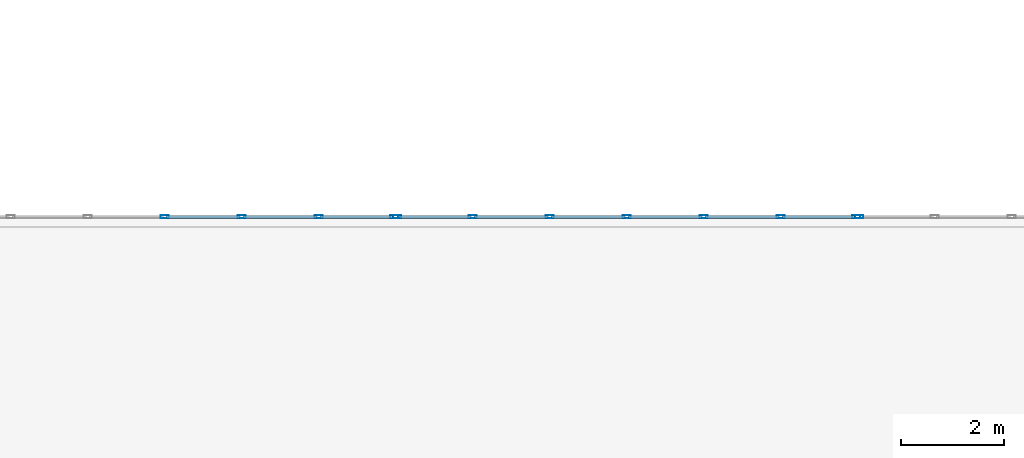
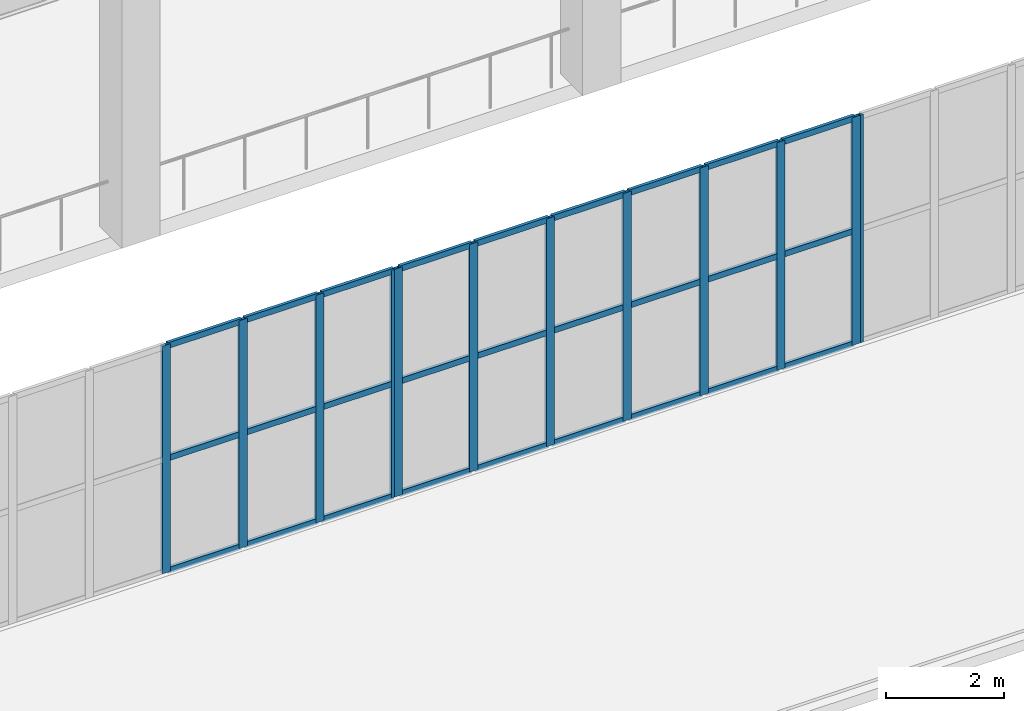
# One storey, part 10 of 223: 39 members, 3 elements without a shape of their own.
"""IFC4 building model written with IfcOpenShell, lengths in metres."""

from ifc_helpers import new_model, si_unit, direction, frame, origin, origin_2d, place, context, subcontext, project, spatial, hollow_rectangle, extrude, material, layer, layer_set, material_profile, profile_set, type_object, element, aggregate, save


model = new_model("IFC4")

# Units and contexts
model_context = context("Model", 3, precision=1e-05, world=origin(), true_north=direction((0.0, 1.0)))
body_context = subcontext(model_context, "Body", "Model", "MODEL_VIEW")
ifc_project = project(units=[si_unit("LENGTHUNIT", "METRE"), si_unit("AREAUNIT", "SQUARE_METRE"), si_unit("VOLUMEUNIT", "CUBIC_METRE"), si_unit("PLANEANGLEUNIT", "RADIAN"), si_unit("MASSUNIT", "GRAM", prefix="KILO")], contexts=[model_context])

# Site, building, storey
site_placement = place(None, origin())
site = spatial("IfcSite", under=ifc_project, at=site_placement, CompositionType="ELEMENT")
building_placement = place(site_placement, origin())
building = spatial("IfcBuilding", under=site, at=building_placement, Name="Dornveld Trade and Exhibition Forum", CompositionType="ELEMENT")
storey_placement = place(building_placement, frame((0.0, 0.0, 6.0)))
storey = spatial("IfcBuildingStorey", under=building, at=storey_placement, Name="L01", CompositionType="ELEMENT", Elevation=6.0)

# Curtain wall, members
ifc_material_1 = material(Name="Dark-bronze anodised aluminium and low-E glass", Category="aluminium")
ifc_layer_1 = layer(ifc_material_1, 0.166015625)
ifc_layer_set_1 = layer_set([ifc_layer_1], Name="Dark-bronze anodised aluminium and low-E glass")
curtain_wall_type_1 = type_object("IfcCurtainWallType", Name="CW-SYS-08", PredefinedType="USERDEFINED", material=ifc_layer_set_1)
curtain_wall_1_placement = place(storey_placement, origin())
curtain_wall_1 = element("IfcCurtainWall", 1, at=curtain_wall_1_placement, inside=storey, type_object=curtain_wall_type_1, Name="L01 unitised curtain wall 44", ObjectType="UNITISED_CURTAIN_WALL", PredefinedType="USERDEFINED")
ifc_material_2 = material(Name="Dark-bronze anodised aluminium", Category="aluminium")
ifc_material_profile_1 = material_profile(ifc_material_2, hollow_rectangle(XDim=0.06005859375, YDim=0.159912109375, WallThickness=0.00390625, at=origin_2d()), Name="RHS 160x60x4")
ifc_profile_set_1 = profile_set([ifc_material_profile_1], Name="Dark-bronze anodised aluminium")
member_type_1 = type_object("IfcMemberType", Name="CW-MUL-160", PredefinedType="MULLION", material=ifc_profile_set_1)
member_1_placement = place(storey_placement, frame((112.5, 18.0, -0.00390625), z_axis=(0.0, 0.0, 1.0), x_axis=(0.0, 1.0, 0.0)))
member_1 = element("IfcMember", 2, at=member_1_placement, type_object=member_type_1, Name="CW-08 mullion 4", PredefinedType="MULLION", context=body_context, shape_type="SweptSolid", body=[
    extrude(hollow_rectangle(XDim=0.06005859375, YDim=0.159912109375, WallThickness=0.00390625, at=origin_2d()), origin(), (0.0, 0.0, 1.0), 4.703857421875),
])
member_2_placement = place(storey_placement, frame((114.0, 18.0, -0.00390625), z_axis=(0.0, 0.0, 1.0), x_axis=(0.0, 1.0, 0.0)))
member_2 = element("IfcMember", 3, at=member_2_placement, type_object=member_type_1, Name="CW-08 mullion 5", PredefinedType="MULLION", context=body_context, shape_type="SweptSolid", body=[
    extrude(hollow_rectangle(XDim=0.06005859375, YDim=0.159912109375, WallThickness=0.00390625, at=origin_2d()), origin(), (0.0, 0.0, 1.0), 4.703857421875),
])
member_3_placement = place(storey_placement, frame((115.5, 18.0, -0.00390625), z_axis=(0.0, 0.0, 1.0), x_axis=(0.0, 1.0, 0.0)))
member_3 = element("IfcMember", 4, at=member_3_placement, type_object=member_type_1, Name="CW-08 mullion 6", PredefinedType="MULLION", context=body_context, shape_type="SweptSolid", body=[
    extrude(hollow_rectangle(XDim=0.06005859375, YDim=0.159912109375, WallThickness=0.00390625, at=origin_2d()), origin(), (0.0, 0.0, 1.0), 4.703857421875),
])
member_4_placement = place(storey_placement, frame((116.969970703125, 18.0, -0.00390625), z_axis=(0.0, 0.0, 1.0), x_axis=(0.0, 1.0, 0.0)))
member_4 = element("IfcMember", 5, at=member_4_placement, type_object=member_type_1, Name="CW-08 mullion 7", PredefinedType="MULLION", context=body_context, shape_type="SweptSolid", body=[
    extrude(hollow_rectangle(XDim=0.06005859375, YDim=0.159912109375, WallThickness=0.00390625, at=origin_2d()), origin(), (0.0, 0.0, 1.0), 4.703857421875),
])

ifc_material_3 = material(Name="Dark-bronze anodised aluminium and low-E glass", Category="aluminium")
ifc_layer_2 = layer(ifc_material_3, 0.1689453125)
ifc_layer_set_2 = layer_set([ifc_layer_2], Name="Dark-bronze anodised aluminium and low-E glass")
curtain_wall_type_2 = type_object("IfcCurtainWallType", Name="CW-SYS-09", PredefinedType="USERDEFINED", material=ifc_layer_set_2)
curtain_wall_2_placement = place(storey_placement, origin())
curtain_wall_2 = element("IfcCurtainWall", 6, at=curtain_wall_2_placement, inside=storey, type_object=curtain_wall_type_2, Name="L01 unitised curtain wall 45", ObjectType="UNITISED_CURTAIN_WALL", PredefinedType="USERDEFINED")
member_5_placement = place(storey_placement, frame((117.030029296875, 18.0, -0.00390625), z_axis=(0.0, 0.0, 1.0), x_axis=(0.0, 1.0, 0.0)))
member_5 = element("IfcMember", 7, at=member_5_placement, type_object=member_type_1, Name="CW-09 mullion 1", PredefinedType="MULLION", context=body_context, shape_type="SweptSolid", body=[
    extrude(hollow_rectangle(XDim=0.06005859375, YDim=0.159912109375, WallThickness=0.00390625, at=origin_2d()), origin(), (0.0, 0.0, 1.0), 4.703857421875),
])
member_6_placement = place(storey_placement, frame((118.5, 18.0, -0.00390625), z_axis=(0.0, 0.0, 1.0), x_axis=(0.0, 1.0, 0.0)))
member_6 = element("IfcMember", 8, at=member_6_placement, type_object=member_type_1, Name="CW-09 mullion 2", PredefinedType="MULLION", context=body_context, shape_type="SweptSolid", body=[
    extrude(hollow_rectangle(XDim=0.06005859375, YDim=0.159912109375, WallThickness=0.00390625, at=origin_2d()), origin(), (0.0, 0.0, 1.0), 4.703857421875),
])
member_7_placement = place(storey_placement, frame((120.0, 18.0, -0.00390625), z_axis=(0.0, 0.0, 1.0), x_axis=(0.0, 1.0, 0.0)))
member_7 = element("IfcMember", 9, at=member_7_placement, type_object=member_type_1, Name="CW-09 mullion 3", PredefinedType="MULLION", context=body_context, shape_type="SweptSolid", body=[
    extrude(hollow_rectangle(XDim=0.06005859375, YDim=0.159912109375, WallThickness=0.00390625, at=origin_2d()), origin(), (0.0, 0.0, 1.0), 4.703857421875),
])
member_8_placement = place(storey_placement, frame((121.5, 18.0, -0.00390625), z_axis=(0.0, 0.0, 1.0), x_axis=(0.0, 1.0, 0.0)))
member_8 = element("IfcMember", 10, at=member_8_placement, type_object=member_type_1, Name="CW-09 mullion 4", PredefinedType="MULLION", context=body_context, shape_type="SweptSolid", body=[
    extrude(hollow_rectangle(XDim=0.06005859375, YDim=0.159912109375, WallThickness=0.00390625, at=origin_2d()), origin(), (0.0, 0.0, 1.0), 4.703857421875),
])
member_9_placement = place(storey_placement, frame((123.0, 18.0, -0.00390625), z_axis=(0.0, 0.0, 1.0), x_axis=(0.0, 1.0, 0.0)))
member_9 = element("IfcMember", 11, at=member_9_placement, type_object=member_type_1, Name="CW-09 mullion 5", PredefinedType="MULLION", context=body_context, shape_type="SweptSolid", body=[
    extrude(hollow_rectangle(XDim=0.06005859375, YDim=0.159912109375, WallThickness=0.00390625, at=origin_2d()), origin(), (0.0, 0.0, 1.0), 4.703857421875),
])
member_10_placement = place(storey_placement, frame((124.5, 18.0, -0.00390625), z_axis=(0.0, 0.0, 1.0), x_axis=(0.0, 1.0, 0.0)))
member_10 = element("IfcMember", 12, at=member_10_placement, type_object=member_type_1, Name="CW-09 mullion 6", PredefinedType="MULLION", context=body_context, shape_type="SweptSolid", body=[
    extrude(hollow_rectangle(XDim=0.06005859375, YDim=0.159912109375, WallThickness=0.00390625, at=origin_2d()), origin(), (0.0, 0.0, 1.0), 4.703857421875),
])
member_11_placement = place(storey_placement, frame((125.969970703125, 18.0, -0.00390625), z_axis=(0.0, 0.0, 1.0), x_axis=(0.0, 1.0, 0.0)))
member_11 = element("IfcMember", 13, at=member_11_placement, type_object=member_type_1, Name="CW-09 mullion 7", PredefinedType="MULLION", context=body_context, shape_type="SweptSolid", body=[
    extrude(hollow_rectangle(XDim=0.06005859375, YDim=0.159912109375, WallThickness=0.00390625, at=origin_2d()), origin(), (0.0, 0.0, 1.0), 4.703857421875),
])

# Curtain wall, member
ifc_material_4 = material(Name="Dark-bronze anodised aluminium and low-E glass", Category="aluminium")
ifc_layer_3 = layer(ifc_material_4, 0.172119140625)
ifc_layer_set_3 = layer_set([ifc_layer_3], Name="Dark-bronze anodised aluminium and low-E glass")
curtain_wall_type_3 = type_object("IfcCurtainWallType", Name="CW-SYS-10", PredefinedType="USERDEFINED", material=ifc_layer_set_3)
curtain_wall_3_placement = place(storey_placement, origin())
curtain_wall_3 = element("IfcCurtainWall", 14, at=curtain_wall_3_placement, inside=storey, type_object=curtain_wall_type_3, Name="L01 unitised curtain wall 46", ObjectType="UNITISED_CURTAIN_WALL", PredefinedType="USERDEFINED")
member_12_placement = place(storey_placement, frame((126.030029296875, 18.0, -0.00390625), z_axis=(0.0, 0.0, 1.0), x_axis=(0.0, 1.0, 0.0)))
member_12 = element("IfcMember", 15, at=member_12_placement, type_object=member_type_1, Name="CW-10 mullion 1", PredefinedType="MULLION", context=body_context, shape_type="SweptSolid", body=[
    extrude(hollow_rectangle(XDim=0.06005859375, YDim=0.159912109375, WallThickness=0.00390625, at=origin_2d()), origin(), (0.0, 0.0, 1.0), 4.703857421875),
])
aggregate(curtain_wall_3, [member_12])

# Member
ifc_material_5 = material(Name="Dark-bronze anodised aluminium", Category="aluminium")
ifc_material_profile_2 = material_profile(ifc_material_5, hollow_rectangle(XDim=0.06005859375, YDim=0.1201171875, WallThickness=0.00390625, at=origin_2d()), Name="RHS 120x60x4")
ifc_profile_set_2 = profile_set([ifc_material_profile_2], Name="Dark-bronze anodised aluminium")
member_type_2 = type_object("IfcMemberType", Name="CW-TRN-120", PredefinedType="USERDEFINED", material=ifc_profile_set_2)
member_13_placement = place(storey_placement, frame((112.530029296875, 18.0, 0.02587890625), z_axis=(1.0, 0.0, 0.0), x_axis=(0.0, 1.0, 0.0)))
member_13 = element("IfcMember", 16, at=member_13_placement, type_object=member_type_2, Name="CW-08 transom 4.1", ObjectType="TRANSOM", PredefinedType="USERDEFINED", context=body_context, shape_type="SweptSolid", body=[
    extrude(hollow_rectangle(XDim=0.06005859375, YDim=0.1201171875, WallThickness=0.00390625, at=origin_2d()), origin(), (0.0, 0.0, 1.0), 1.43994140625),
])

member_14_placement = place(storey_placement, frame((112.530029296875, 18.0, 2.347900390625), z_axis=(1.0, 0.0, 0.0), x_axis=(0.0, 1.0, 0.0)))
member_14 = element("IfcMember", 17, at=member_14_placement, type_object=member_type_2, Name="CW-08 transom 4.2", ObjectType="TRANSOM", PredefinedType="USERDEFINED", context=body_context, shape_type="SweptSolid", body=[
    extrude(hollow_rectangle(XDim=0.06005859375, YDim=0.1201171875, WallThickness=0.00390625, at=origin_2d()), origin(), (0.0, 0.0, 1.0), 1.43994140625),
])

member_15_placement = place(storey_placement, frame((112.530029296875, 18.0, 4.669921875), z_axis=(1.0, 0.0, 0.0), x_axis=(0.0, 1.0, 0.0)))
member_15 = element("IfcMember", 18, at=member_15_placement, type_object=member_type_2, Name="CW-08 transom 4.3", ObjectType="TRANSOM", PredefinedType="USERDEFINED", context=body_context, shape_type="SweptSolid", body=[
    extrude(hollow_rectangle(XDim=0.06005859375, YDim=0.1201171875, WallThickness=0.00390625, at=origin_2d()), origin(), (0.0, 0.0, 1.0), 1.43994140625),
])

member_16_placement = place(storey_placement, frame((114.030029296875, 18.0, 0.02587890625), z_axis=(1.0, 0.0, 0.0), x_axis=(0.0, 1.0, 0.0)))
member_16 = element("IfcMember", 19, at=member_16_placement, type_object=member_type_2, Name="CW-08 transom 5.1", ObjectType="TRANSOM", PredefinedType="USERDEFINED", context=body_context, shape_type="SweptSolid", body=[
    extrude(hollow_rectangle(XDim=0.06005859375, YDim=0.1201171875, WallThickness=0.00390625, at=origin_2d()), origin(), (0.0, 0.0, 1.0), 1.43994140625),
])

member_17_placement = place(storey_placement, frame((114.030029296875, 18.0, 2.347900390625), z_axis=(1.0, 0.0, 0.0), x_axis=(0.0, 1.0, 0.0)))
member_17 = element("IfcMember", 20, at=member_17_placement, type_object=member_type_2, Name="CW-08 transom 5.2", ObjectType="TRANSOM", PredefinedType="USERDEFINED", context=body_context, shape_type="SweptSolid", body=[
    extrude(hollow_rectangle(XDim=0.06005859375, YDim=0.1201171875, WallThickness=0.00390625, at=origin_2d()), origin(), (0.0, 0.0, 1.0), 1.43994140625),
])

member_18_placement = place(storey_placement, frame((114.030029296875, 18.0, 4.669921875), z_axis=(1.0, 0.0, 0.0), x_axis=(0.0, 1.0, 0.0)))
member_18 = element("IfcMember", 21, at=member_18_placement, type_object=member_type_2, Name="CW-08 transom 5.3", ObjectType="TRANSOM", PredefinedType="USERDEFINED", context=body_context, shape_type="SweptSolid", body=[
    extrude(hollow_rectangle(XDim=0.06005859375, YDim=0.1201171875, WallThickness=0.00390625, at=origin_2d()), origin(), (0.0, 0.0, 1.0), 1.43994140625),
])

member_19_placement = place(storey_placement, frame((115.530029296875, 18.0, 0.02587890625), z_axis=(1.0, 0.0, 0.0), x_axis=(0.0, 1.0, 0.0)))
member_19 = element("IfcMember", 22, at=member_19_placement, type_object=member_type_2, Name="CW-08 transom 6.1", ObjectType="TRANSOM", PredefinedType="USERDEFINED", context=body_context, shape_type="SweptSolid", body=[
    extrude(hollow_rectangle(XDim=0.06005859375, YDim=0.1201171875, WallThickness=0.00390625, at=origin_2d()), origin(), (0.0, 0.0, 1.0), 1.409912109375),
])

member_20_placement = place(storey_placement, frame((115.530029296875, 18.0, 2.347900390625), z_axis=(1.0, 0.0, 0.0), x_axis=(0.0, 1.0, 0.0)))
member_20 = element("IfcMember", 23, at=member_20_placement, type_object=member_type_2, Name="CW-08 transom 6.2", ObjectType="TRANSOM", PredefinedType="USERDEFINED", context=body_context, shape_type="SweptSolid", body=[
    extrude(hollow_rectangle(XDim=0.06005859375, YDim=0.1201171875, WallThickness=0.00390625, at=origin_2d()), origin(), (0.0, 0.0, 1.0), 1.409912109375),
])

member_21_placement = place(storey_placement, frame((115.530029296875, 18.0, 4.669921875), z_axis=(1.0, 0.0, 0.0), x_axis=(0.0, 1.0, 0.0)))
member_21 = element("IfcMember", 24, at=member_21_placement, type_object=member_type_2, Name="CW-08 transom 6.3", ObjectType="TRANSOM", PredefinedType="USERDEFINED", context=body_context, shape_type="SweptSolid", body=[
    extrude(hollow_rectangle(XDim=0.06005859375, YDim=0.1201171875, WallThickness=0.00390625, at=origin_2d()), origin(), (0.0, 0.0, 1.0), 1.409912109375),
])

aggregate(curtain_wall_1, [member_1, member_2, member_3, member_4, member_13, member_14, member_15, member_16, member_17, member_18, member_19, member_20, member_21])

member_22_placement = place(storey_placement, frame((117.06005859375, 18.0, 0.02587890625), z_axis=(1.0, 0.0, 0.0), x_axis=(0.0, 1.0, 0.0)))
member_22 = element("IfcMember", 25, at=member_22_placement, type_object=member_type_2, Name="CW-09 transom 1.1", ObjectType="TRANSOM", PredefinedType="USERDEFINED", context=body_context, shape_type="SweptSolid", body=[
    extrude(hollow_rectangle(XDim=0.06005859375, YDim=0.1201171875, WallThickness=0.00390625, at=origin_2d()), origin(), (0.0, 0.0, 1.0), 1.409912109375),
])

member_23_placement = place(storey_placement, frame((117.06005859375, 18.0, 2.347900390625), z_axis=(1.0, 0.0, 0.0), x_axis=(0.0, 1.0, 0.0)))
member_23 = element("IfcMember", 26, at=member_23_placement, type_object=member_type_2, Name="CW-09 transom 1.2", ObjectType="TRANSOM", PredefinedType="USERDEFINED", context=body_context, shape_type="SweptSolid", body=[
    extrude(hollow_rectangle(XDim=0.06005859375, YDim=0.1201171875, WallThickness=0.00390625, at=origin_2d()), origin(), (0.0, 0.0, 1.0), 1.409912109375),
])

member_24_placement = place(storey_placement, frame((117.06005859375, 18.0, 4.669921875), z_axis=(1.0, 0.0, 0.0), x_axis=(0.0, 1.0, 0.0)))
member_24 = element("IfcMember", 27, at=member_24_placement, type_object=member_type_2, Name="CW-09 transom 1.3", ObjectType="TRANSOM", PredefinedType="USERDEFINED", context=body_context, shape_type="SweptSolid", body=[
    extrude(hollow_rectangle(XDim=0.06005859375, YDim=0.1201171875, WallThickness=0.00390625, at=origin_2d()), origin(), (0.0, 0.0, 1.0), 1.409912109375),
])

member_25_placement = place(storey_placement, frame((118.530029296875, 18.0, 0.02587890625), z_axis=(1.0, 0.0, 0.0), x_axis=(0.0, 1.0, 0.0)))
member_25 = element("IfcMember", 28, at=member_25_placement, type_object=member_type_2, Name="CW-09 transom 2.1", ObjectType="TRANSOM", PredefinedType="USERDEFINED", context=body_context, shape_type="SweptSolid", body=[
    extrude(hollow_rectangle(XDim=0.06005859375, YDim=0.1201171875, WallThickness=0.00390625, at=origin_2d()), origin(), (0.0, 0.0, 1.0), 1.43994140625),
])

member_26_placement = place(storey_placement, frame((118.530029296875, 18.0, 2.347900390625), z_axis=(1.0, 0.0, 0.0), x_axis=(0.0, 1.0, 0.0)))
member_26 = element("IfcMember", 29, at=member_26_placement, type_object=member_type_2, Name="CW-09 transom 2.2", ObjectType="TRANSOM", PredefinedType="USERDEFINED", context=body_context, shape_type="SweptSolid", body=[
    extrude(hollow_rectangle(XDim=0.06005859375, YDim=0.1201171875, WallThickness=0.00390625, at=origin_2d()), origin(), (0.0, 0.0, 1.0), 1.43994140625),
])

member_27_placement = place(storey_placement, frame((118.530029296875, 18.0, 4.669921875), z_axis=(1.0, 0.0, 0.0), x_axis=(0.0, 1.0, 0.0)))
member_27 = element("IfcMember", 30, at=member_27_placement, type_object=member_type_2, Name="CW-09 transom 2.3", ObjectType="TRANSOM", PredefinedType="USERDEFINED", context=body_context, shape_type="SweptSolid", body=[
    extrude(hollow_rectangle(XDim=0.06005859375, YDim=0.1201171875, WallThickness=0.00390625, at=origin_2d()), origin(), (0.0, 0.0, 1.0), 1.43994140625),
])

member_28_placement = place(storey_placement, frame((120.030029296875, 18.0, 0.02587890625), z_axis=(1.0, 0.0, 0.0), x_axis=(0.0, 1.0, 0.0)))
member_28 = element("IfcMember", 31, at=member_28_placement, type_object=member_type_2, Name="CW-09 transom 3.1", ObjectType="TRANSOM", PredefinedType="USERDEFINED", context=body_context, shape_type="SweptSolid", body=[
    extrude(hollow_rectangle(XDim=0.06005859375, YDim=0.1201171875, WallThickness=0.00390625, at=origin_2d()), origin(), (0.0, 0.0, 1.0), 1.43994140625),
])

member_29_placement = place(storey_placement, frame((120.030029296875, 18.0, 2.347900390625), z_axis=(1.0, 0.0, 0.0), x_axis=(0.0, 1.0, 0.0)))
member_29 = element("IfcMember", 32, at=member_29_placement, type_object=member_type_2, Name="CW-09 transom 3.2", ObjectType="TRANSOM", PredefinedType="USERDEFINED", context=body_context, shape_type="SweptSolid", body=[
    extrude(hollow_rectangle(XDim=0.06005859375, YDim=0.1201171875, WallThickness=0.00390625, at=origin_2d()), origin(), (0.0, 0.0, 1.0), 1.43994140625),
])

member_30_placement = place(storey_placement, frame((120.030029296875, 18.0, 4.669921875), z_axis=(1.0, 0.0, 0.0), x_axis=(0.0, 1.0, 0.0)))
member_30 = element("IfcMember", 33, at=member_30_placement, type_object=member_type_2, Name="CW-09 transom 3.3", ObjectType="TRANSOM", PredefinedType="USERDEFINED", context=body_context, shape_type="SweptSolid", body=[
    extrude(hollow_rectangle(XDim=0.06005859375, YDim=0.1201171875, WallThickness=0.00390625, at=origin_2d()), origin(), (0.0, 0.0, 1.0), 1.43994140625),
])

member_31_placement = place(storey_placement, frame((121.530029296875, 18.0, 0.02587890625), z_axis=(1.0, 0.0, 0.0), x_axis=(0.0, 1.0, 0.0)))
member_31 = element("IfcMember", 34, at=member_31_placement, type_object=member_type_2, Name="CW-09 transom 4.1", ObjectType="TRANSOM", PredefinedType="USERDEFINED", context=body_context, shape_type="SweptSolid", body=[
    extrude(hollow_rectangle(XDim=0.06005859375, YDim=0.1201171875, WallThickness=0.00390625, at=origin_2d()), origin(), (0.0, 0.0, 1.0), 1.43994140625),
])

member_32_placement = place(storey_placement, frame((121.530029296875, 18.0, 2.347900390625), z_axis=(1.0, 0.0, 0.0), x_axis=(0.0, 1.0, 0.0)))
member_32 = element("IfcMember", 35, at=member_32_placement, type_object=member_type_2, Name="CW-09 transom 4.2", ObjectType="TRANSOM", PredefinedType="USERDEFINED", context=body_context, shape_type="SweptSolid", body=[
    extrude(hollow_rectangle(XDim=0.06005859375, YDim=0.1201171875, WallThickness=0.00390625, at=origin_2d()), origin(), (0.0, 0.0, 1.0), 1.43994140625),
])

member_33_placement = place(storey_placement, frame((121.530029296875, 18.0, 4.669921875), z_axis=(1.0, 0.0, 0.0), x_axis=(0.0, 1.0, 0.0)))
member_33 = element("IfcMember", 36, at=member_33_placement, type_object=member_type_2, Name="CW-09 transom 4.3", ObjectType="TRANSOM", PredefinedType="USERDEFINED", context=body_context, shape_type="SweptSolid", body=[
    extrude(hollow_rectangle(XDim=0.06005859375, YDim=0.1201171875, WallThickness=0.00390625, at=origin_2d()), origin(), (0.0, 0.0, 1.0), 1.43994140625),
])

member_34_placement = place(storey_placement, frame((123.030029296875, 18.0, 0.02587890625), z_axis=(1.0, 0.0, 0.0), x_axis=(0.0, 1.0, 0.0)))
member_34 = element("IfcMember", 37, at=member_34_placement, type_object=member_type_2, Name="CW-09 transom 5.1", ObjectType="TRANSOM", PredefinedType="USERDEFINED", context=body_context, shape_type="SweptSolid", body=[
    extrude(hollow_rectangle(XDim=0.06005859375, YDim=0.1201171875, WallThickness=0.00390625, at=origin_2d()), origin(), (0.0, 0.0, 1.0), 1.43994140625),
])

member_35_placement = place(storey_placement, frame((123.030029296875, 18.0, 2.347900390625), z_axis=(1.0, 0.0, 0.0), x_axis=(0.0, 1.0, 0.0)))
member_35 = element("IfcMember", 38, at=member_35_placement, type_object=member_type_2, Name="CW-09 transom 5.2", ObjectType="TRANSOM", PredefinedType="USERDEFINED", context=body_context, shape_type="SweptSolid", body=[
    extrude(hollow_rectangle(XDim=0.06005859375, YDim=0.1201171875, WallThickness=0.00390625, at=origin_2d()), origin(), (0.0, 0.0, 1.0), 1.43994140625),
])

member_36_placement = place(storey_placement, frame((123.030029296875, 18.0, 4.669921875), z_axis=(1.0, 0.0, 0.0), x_axis=(0.0, 1.0, 0.0)))
member_36 = element("IfcMember", 39, at=member_36_placement, type_object=member_type_2, Name="CW-09 transom 5.3", ObjectType="TRANSOM", PredefinedType="USERDEFINED", context=body_context, shape_type="SweptSolid", body=[
    extrude(hollow_rectangle(XDim=0.06005859375, YDim=0.1201171875, WallThickness=0.00390625, at=origin_2d()), origin(), (0.0, 0.0, 1.0), 1.43994140625),
])

member_37_placement = place(storey_placement, frame((124.530029296875, 18.0, 0.02587890625), z_axis=(1.0, 0.0, 0.0), x_axis=(0.0, 1.0, 0.0)))
member_37 = element("IfcMember", 40, at=member_37_placement, type_object=member_type_2, Name="CW-09 transom 6.1", ObjectType="TRANSOM", PredefinedType="USERDEFINED", context=body_context, shape_type="SweptSolid", body=[
    extrude(hollow_rectangle(XDim=0.06005859375, YDim=0.1201171875, WallThickness=0.00390625, at=origin_2d()), origin(), (0.0, 0.0, 1.0), 1.409912109375),
])

member_38_placement = place(storey_placement, frame((124.530029296875, 18.0, 2.347900390625), z_axis=(1.0, 0.0, 0.0), x_axis=(0.0, 1.0, 0.0)))
member_38 = element("IfcMember", 41, at=member_38_placement, type_object=member_type_2, Name="CW-09 transom 6.2", ObjectType="TRANSOM", PredefinedType="USERDEFINED", context=body_context, shape_type="SweptSolid", body=[
    extrude(hollow_rectangle(XDim=0.06005859375, YDim=0.1201171875, WallThickness=0.00390625, at=origin_2d()), origin(), (0.0, 0.0, 1.0), 1.409912109375),
])

member_39_placement = place(storey_placement, frame((124.530029296875, 18.0, 4.669921875), z_axis=(1.0, 0.0, 0.0), x_axis=(0.0, 1.0, 0.0)))
member_39 = element("IfcMember", 42, at=member_39_placement, type_object=member_type_2, Name="CW-09 transom 6.3", ObjectType="TRANSOM", PredefinedType="USERDEFINED", context=body_context, shape_type="SweptSolid", body=[
    extrude(hollow_rectangle(XDim=0.06005859375, YDim=0.1201171875, WallThickness=0.00390625, at=origin_2d()), origin(), (0.0, 0.0, 1.0), 1.409912109375),
])

aggregate(curtain_wall_2, [member_5, member_6, member_7, member_8, member_9, member_10, member_11, member_22, member_23, member_24, member_25, member_26, member_27, member_28, member_29, member_30, member_31, member_32, member_33, member_34, member_35, member_36, member_37, member_38, member_39])

save(model, "model.ifc")
